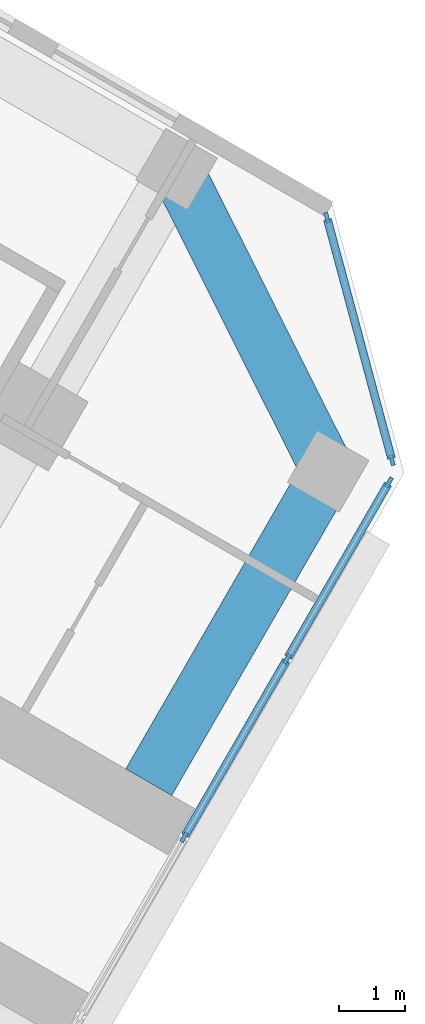
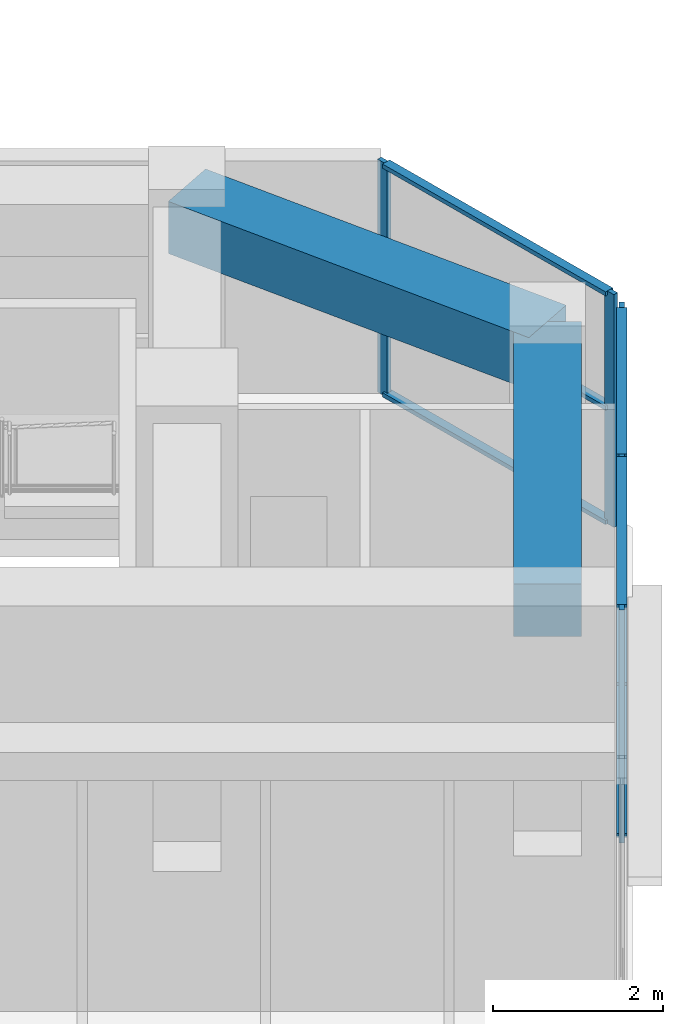
# One storey, part 8 of 19: 12 members, 2 beams, 2 elements without a shape of their own.
"""IFC4 building model written with IfcOpenShell, lengths in metres."""

from ifc_helpers import new_model, si_unit, direction, frame, origin, origin_2d, place, context, subcontext, project, spatial, rectangle, extrude, material, material_profile, profile_set, type_object, element, aggregate, save


model = new_model("IFC4")

# Units and contexts
model_context = context("Model", 3, precision=1e-05, world=origin(), true_north=direction((0.0, 1.0)))
body_context = subcontext(model_context, "Body", "Model", "MODEL_VIEW")
ifc_project = project(units=[si_unit("LENGTHUNIT", "METRE"), si_unit("AREAUNIT", "SQUARE_METRE"), si_unit("VOLUMEUNIT", "CUBIC_METRE"), si_unit("PLANEANGLEUNIT", "RADIAN"), si_unit("MASSUNIT", "GRAM", prefix="KILO")], contexts=[model_context])

# Site, building, storey
site_placement = place(None, origin())
site = spatial("IfcSite", under=ifc_project, at=site_placement, CompositionType="ELEMENT")
building_placement = place(site_placement, origin())
building = spatial("IfcBuilding", under=site, at=building_placement, Name="Kosmar Iwan School Tower", CompositionType="ELEMENT")
storey_placement = place(building_placement, frame((0.0, 0.0, 141.800048828125)))
storey = spatial("IfcBuildingStorey", under=building, at=storey_placement, Name="L35", CompositionType="ELEMENT", Elevation=141.800048828125)

# Curtain wall, members
ifc_material_1 = material(Name="Dark glass in black aluminium frame", Category="aluminium")
curtain_wall_type_1 = type_object("IfcCurtainWallType", Name="Tower curtain wall dark glass", PredefinedType="USERDEFINED", material=ifc_material_1)
curtain_wall_1_placement = place(storey_placement, origin())
curtain_wall_1 = element("IfcCurtainWall", 1, at=curtain_wall_1_placement, inside=storey, type_object=curtain_wall_type_1, Name="Curtain wall L35-F03", ObjectType="UNITISED CURTAIN WALL", PredefinedType="USERDEFINED")
ifc_material_2 = material(Name="Black anodised aluminium", Category="aluminium")
ifc_material_profile_1 = material_profile(ifc_material_2, rectangle(XDim=0.06005859375, YDim=0.159912109375, at=origin_2d()), Name="MULLION 60x160")
ifc_profile_set_1 = profile_set([ifc_material_profile_1], Name="Black anodised aluminium")
member_type_1 = type_object("IfcMemberType", Name="Mullion 60x160", PredefinedType="MULLION", material=ifc_profile_set_1)
member_1_placement = place(storey_placement, frame((30.631103515625, -15.8955078125, 0.0), z_axis=(0.0, 0.0, 1.0), x_axis=(-0.866025405329, 0.499999997325, 0.0)))
member_1 = element("IfcMember", 2, at=member_1_placement, type_object=member_type_1, Name="CW1 mullion 4", PredefinedType="MULLION", context=body_context, shape_type="SweptSolid", body=[
    extrude(rectangle(XDim=0.06005859375, YDim=0.159912109375, at=origin_2d()), origin(), (0.0, 0.0, 1.0), 3.349853515625),
])
member_2_placement = place(storey_placement, frame((32.1806640625, -13.21142578125, 0.0), z_axis=(0.0, 0.0, 1.0), x_axis=(-0.866025405329, 0.499999997325, 0.0)))
member_2 = element("IfcMember", 3, at=member_2_placement, type_object=member_type_1, Name="CW1 mullion 5", PredefinedType="MULLION", context=body_context, shape_type="SweptSolid", body=[
    extrude(rectangle(XDim=0.06005859375, YDim=0.159912109375, at=origin_2d()), origin(), (0.0, 0.0, 1.0), 3.349853515625),
])
member_3_placement = place(storey_placement, frame((33.71533203125, -10.55322265625, 0.0), z_axis=(0.0, 0.0, 1.0), x_axis=(-0.866025405329, 0.499999997325, 0.0)))
member_3 = element("IfcMember", 4, at=member_3_placement, type_object=member_type_1, Name="CW1 mullion 6", PredefinedType="MULLION", context=body_context, shape_type="SweptSolid", body=[
    extrude(rectangle(XDim=0.06005859375, YDim=0.159912109375, at=origin_2d()), origin(), (0.0, 0.0, 1.0), 3.349853515625),
])

ifc_material_3 = material(Name="Dark glass in black aluminium frame", Category="aluminium")
curtain_wall_type_2 = type_object("IfcCurtainWallType", Name="Chamfer curtain wall dark glass", PredefinedType="USERDEFINED", material=ifc_material_3)
curtain_wall_2_placement = place(storey_placement, origin())
curtain_wall_2 = element("IfcCurtainWall", 5, at=curtain_wall_2_placement, inside=storey, type_object=curtain_wall_type_2, Name="Curtain wall L35-F04", ObjectType="FACETED CURTAIN WALL", PredefinedType="USERDEFINED")
member_4_placement = place(storey_placement, frame((33.7587890625, -10.2236328125, 0.0), z_axis=(0.0, 0.0, 1.0), x_axis=(-0.965925875495, -0.258818861462, 0.0)))
member_4 = element("IfcMember", 6, at=member_4_placement, type_object=member_type_1, Name="CW2 mullion 1", PredefinedType="MULLION", context=body_context, shape_type="SweptSolid", body=[
    extrude(rectangle(XDim=0.06005859375, YDim=0.159912109375, at=origin_2d()), origin(), (0.0, 0.0, 1.0), 3.349853515625),
])
member_5_placement = place(storey_placement, frame((32.78076171875, -6.5732421875, 0.0), z_axis=(0.0, 0.0, 1.0), x_axis=(-0.965925875495, -0.258818861462, 0.0)))
member_5 = element("IfcMember", 7, at=member_5_placement, type_object=member_type_1, Name="CW2 mullion 2", PredefinedType="MULLION", context=body_context, shape_type="SweptSolid", body=[
    extrude(rectangle(XDim=0.06005859375, YDim=0.159912109375, at=origin_2d()), origin(), (0.0, 0.0, 1.0), 3.349853515625),
])

# Beams
ifc_material_4 = material(Name="Concrete C50/60", Category="concrete")
ifc_material_profile_2 = material_profile(ifc_material_4, rectangle(XDim=0.800048828125, YDim=0.75, at=origin_2d()), Name="RC 800x750")
ifc_profile_set_2 = profile_set([ifc_material_profile_2], Name="Concrete C50/60")
beam_type = type_object("IfcBeamType", Name="RC tip beam 800x750", PredefinedType="BEAM", material=ifc_profile_set_2)
beam_1_placement = place(storey_placement, frame((30.517822265625, -5.841552734375, 2.974853515625), z_axis=(0.44809604203, -0.893985423325, 0.0), x_axis=(0.893985423325, 0.44809604203, 0.0)))
element("IfcBeam", 8, at=beam_1_placement, inside=storey, type_object=beam_type, Name="Tip beam CL", PredefinedType="BEAM", context=body_context, shape_type="SweptSolid", body=[
    extrude(rectangle(XDim=0.800048828125, YDim=0.75, at=origin_2d()), origin(), (0.0, 0.0, 1.0), 5.08935546875),
])
beam_2_placement = place(storey_placement, frame((32.79833984375, -10.391357421875, 2.974853515625), z_axis=(-0.499995103361, -0.866028230842, 0.0), x_axis=(0.866028230842, -0.499995103361, 0.0)))
element("IfcBeam", 9, at=beam_2_placement, inside=storey, type_object=beam_type, Name="Tip beam CL to corridor wall", PredefinedType="BEAM", context=body_context, shape_type="SweptSolid", body=[
    extrude(rectangle(XDim=0.800048828125, YDim=0.75, at=origin_2d()), origin(), (0.0, 0.0, 1.0), 5.39990234375),
])

# Member
ifc_material_5 = material(Name="Black anodised aluminium", Category="aluminium")
ifc_material_profile_3 = material_profile(ifc_material_5, rectangle(XDim=0.1201171875, YDim=0.06005859375, at=origin_2d()), Name="TRANSOM 60x120")
ifc_profile_set_3 = profile_set([ifc_material_profile_3], Name="Black anodised aluminium")
member_type_2 = type_object("IfcMemberType", Name="Transom 60x120", PredefinedType="USERDEFINED", material=ifc_profile_set_3)
member_6_placement = place(storey_placement, frame((30.64599609375, -15.869384765625, 0.030029296875), z_axis=(0.500035348339, 0.866004994449, 0.0), x_axis=(-0.866004994449, 0.500035348339, 0.0)))
member_6 = element("IfcMember", 10, at=member_6_placement, type_object=member_type_2, Name="CW1 transom 4.1", ObjectType="TRANSOM", PredefinedType="USERDEFINED", context=body_context, shape_type="SweptSolid", body=[
    extrude(rectangle(XDim=0.1201171875, YDim=0.06005859375, at=origin_2d()), origin(), (0.0, 0.0, 1.0), 3.039306640625),
])

member_7_placement = place(storey_placement, frame((30.64599609375, -15.869384765625, 3.320068359375), z_axis=(0.500035348339, 0.866004994449, 0.0), x_axis=(-0.866004994449, 0.500035348339, 0.0)))
member_7 = element("IfcMember", 11, at=member_7_placement, type_object=member_type_2, Name="CW1 transom 4.2", ObjectType="TRANSOM", PredefinedType="USERDEFINED", context=body_context, shape_type="SweptSolid", body=[
    extrude(rectangle(XDim=0.1201171875, YDim=0.06005859375, at=origin_2d()), origin(), (0.0, 0.0, 1.0), 3.039306640625),
])

member_8_placement = place(storey_placement, frame((32.19580078125, -13.185302734375, 0.030029296875), z_axis=(0.500022102064, 0.866012642776, 0.0), x_axis=(-0.866012642776, 0.500022102064, 0.0)))
member_8 = element("IfcMember", 12, at=member_8_placement, type_object=member_type_2, Name="CW1 transom 5.1", ObjectType="TRANSOM", PredefinedType="USERDEFINED", context=body_context, shape_type="SweptSolid", body=[
    extrude(rectangle(XDim=0.1201171875, YDim=0.06005859375, at=origin_2d()), origin(), (0.0, 0.0, 1.0), 3.009033203125),
])

member_9_placement = place(storey_placement, frame((32.19580078125, -13.185302734375, 3.320068359375), z_axis=(0.500022102064, 0.866012642776, 0.0), x_axis=(-0.866012642776, 0.500022102064, 0.0)))
member_9 = element("IfcMember", 13, at=member_9_placement, type_object=member_type_2, Name="CW1 transom 5.2", ObjectType="TRANSOM", PredefinedType="USERDEFINED", context=body_context, shape_type="SweptSolid", body=[
    extrude(rectangle(XDim=0.1201171875, YDim=0.06005859375, at=origin_2d()), origin(), (0.0, 0.0, 1.0), 3.009033203125),
])

aggregate(curtain_wall_1, [member_1, member_2, member_3, member_6, member_7, member_8, member_9])

member_10_placement = place(storey_placement, frame((33.7509765625, -10.194580078125, 0.030029296875), z_axis=(-0.258843273983, 0.965919333854, 0.0), x_axis=(-0.965919333854, -0.258843273983, 0.0)))
member_10 = element("IfcMember", 14, at=member_10_placement, type_object=member_type_2, Name="CW2 transom 1.1", ObjectType="TRANSOM", PredefinedType="USERDEFINED", context=body_context, shape_type="SweptSolid", body=[
    extrude(rectangle(XDim=0.1201171875, YDim=0.06005859375, at=origin_2d()), origin(), (0.0, 0.0, 1.0), 3.718994140625),
])

member_11_placement = place(storey_placement, frame((33.7509765625, -10.194580078125, 1.675048828125), z_axis=(-0.258843273983, 0.965919333854, 0.0), x_axis=(-0.965919333854, -0.258843273983, 0.0)))
member_11 = element("IfcMember", 15, at=member_11_placement, type_object=member_type_2, Name="CW2 transom 1.2", ObjectType="TRANSOM", PredefinedType="USERDEFINED", context=body_context, shape_type="SweptSolid", body=[
    extrude(rectangle(XDim=0.1201171875, YDim=0.06005859375, at=origin_2d()), origin(), (0.0, 0.0, 1.0), 3.718994140625),
])

member_12_placement = place(storey_placement, frame((33.7509765625, -10.194580078125, 3.320068359375), z_axis=(-0.258843273983, 0.965919333854, 0.0), x_axis=(-0.965919333854, -0.258843273983, 0.0)))
member_12 = element("IfcMember", 16, at=member_12_placement, type_object=member_type_2, Name="CW2 transom 1.3", ObjectType="TRANSOM", PredefinedType="USERDEFINED", context=body_context, shape_type="SweptSolid", body=[
    extrude(rectangle(XDim=0.1201171875, YDim=0.06005859375, at=origin_2d()), origin(), (0.0, 0.0, 1.0), 3.718994140625),
])

aggregate(curtain_wall_2, [member_4, member_5, member_10, member_11, member_12])

save(model, "model.ifc")
